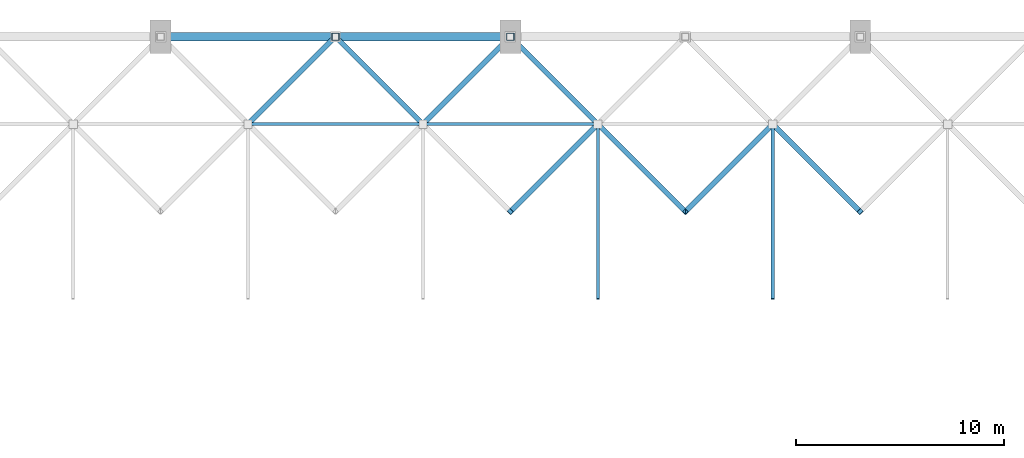
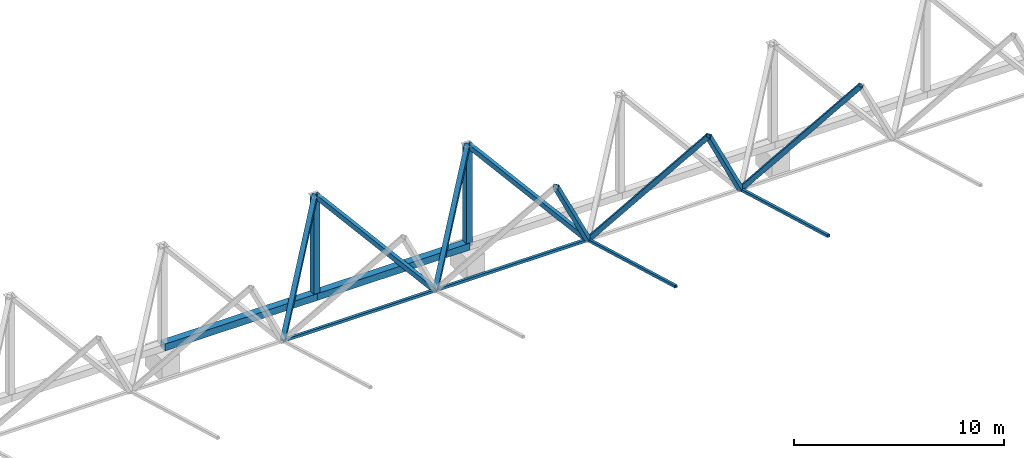
# One storey, part 57 of 163: 16 members.
"""IFC4 building model written with IfcOpenShell, lengths in metres."""

from ifc_helpers import new_model, si_unit, direction, frame, origin, origin_2d, place, context, subcontext, project, spatial, hollow_rectangle, extrude, material, material_profile, profile_set, type_object, element, save


model = new_model("IFC4")

# Units and contexts
model_context = context("Model", 3, precision=1e-05, world=origin(), true_north=direction((0.0, 1.0)))
body_context = subcontext(model_context, "Body", "Model", "MODEL_VIEW")
ifc_project = project(units=[si_unit("LENGTHUNIT", "METRE"), si_unit("AREAUNIT", "SQUARE_METRE"), si_unit("VOLUMEUNIT", "CUBIC_METRE"), si_unit("PLANEANGLEUNIT", "RADIAN"), si_unit("MASSUNIT", "GRAM", prefix="KILO")], contexts=[model_context])

# Site, building, storey
site_placement = place(None, origin())
site = spatial("IfcSite", under=ifc_project, at=site_placement, CompositionType="ELEMENT")
building_placement = place(site_placement, origin())
building = spatial("IfcBuilding", under=site, at=building_placement, Name="Rain Tree Exposition and Congress Centre", CompositionType="ELEMENT")
storey_placement = place(building_placement, frame((0.0, 0.0, 10.5)))
storey = spatial("IfcBuildingStorey", under=building, at=storey_placement, Name="L02", CompositionType="ELEMENT", Elevation=10.5)

# Members
ifc_material_1 = material(Name="Steel S355J2H", Category="steel")
ifc_material_profile_1 = material_profile(ifc_material_1, hollow_rectangle(XDim=0.25, YDim=0.25, WallThickness=0.006103515625, at=origin_2d()), Name="RHS 250x250x6")
ifc_profile_set_1 = profile_set([ifc_material_profile_1], Name="Steel S355J2H")
member_type_1 = type_object("IfcMemberType", Name="Steel brace member RHS 250x250x6", PredefinedType="BRACE", material=ifc_profile_set_1)
member_1_placement = place(storey_placement, frame((29.39990234375, 197.39990234375, 2.87353515625), z_axis=(0.564699033018, 0.564699033018, 0.60185546788), x_axis=(-0.707106781187, 0.707106781187, 0.0)))
element("IfcMember", 1, at=member_1_placement, inside=storey, type_object=member_type_1, Name="Diagonal 1289", PredefinedType="BRACE", context=body_context, shape_type="SweptSolid", body=[
    extrude(hollow_rectangle(XDim=0.25, YDim=0.25, WallThickness=0.006103515625, at=origin_2d()), origin(), (0.0, 0.0, 1.0), 7.43798828125),
])
for number, where, z_axis, x_axis, name in (
    (2, (37.800048828125, 197.39990234375, 2.87353515625), (-0.564676675678, 0.564709499992, 0.601866623567), (-0.707127332136, -0.70708622964, 0.0), "Diagonal 1293"),
    (3, (37.800048828125, 197.39990234375, 2.87353515625), (0.564676675678, 0.564709499992, 0.601866623567), (-0.707127332136, 0.70708622964, 0.0), "Diagonal 1294"),
):
    element("IfcMember", number, at=place(storey_placement, frame(where, z_axis=z_axis, x_axis=x_axis)), inside=storey, type_object=member_type_1, Name=name, PredefinedType="BRACE", context=body_context, shape_type="SweptSolid", body=[
        extrude(hollow_rectangle(XDim=0.25, YDim=0.25, WallThickness=0.006103515625, at=origin_2d()), origin(), (0.0, 0.0, 1.0), 7.437744140625),
    ])
for number, where, z_axis, x_axis, name in (
    (4, (46.199951171875, 197.39990234375, 2.87353515625), (-0.453966434812, -0.453966434812, 0.766700040517), (0.707106781187, -0.707106781187, 0.0), "Diagonal 1296"),
    (5, (46.199951171875, 197.39990234375, 2.87353515625), (0.453966434812, -0.453966434812, 0.766700040517), (0.707106781187, 0.707106781187, 0.0), "Diagonal 1297"),
):
    element("IfcMember", number, at=place(storey_placement, frame(where, z_axis=z_axis, x_axis=x_axis)), inside=storey, type_object=member_type_1, Name=name, PredefinedType="BRACE", context=body_context, shape_type="SweptSolid", body=[
        extrude(hollow_rectangle(XDim=0.25, YDim=0.25, WallThickness=0.006103515625, at=origin_2d()), origin(), (0.0, 0.0, 1.0), 9.251708984375),
    ])
member_2_placement = place(storey_placement, frame((46.199951171875, 197.39990234375, 2.87353515625), z_axis=(-0.564676675678, 0.564709499992, 0.601866623567), x_axis=(-0.707127332136, -0.70708622964, 0.0)))
element("IfcMember", 6, at=member_2_placement, inside=storey, type_object=member_type_1, Name="Diagonal 1298", PredefinedType="BRACE", context=body_context, shape_type="SweptSolid", body=[
    extrude(hollow_rectangle(XDim=0.25, YDim=0.25, WallThickness=0.006103515625, at=origin_2d()), origin(), (0.0, 0.0, 1.0), 7.437744140625),
])
for number, where, z_axis, x_axis, name in (
    (7, (54.60009765625, 197.39990234375, 2.87353515625), (-0.453987384881, -0.453960996403, 0.766690855635), (0.70708622964, -0.707127332136, 0.0), "Diagonal 1301"),
    (8, (54.60009765625, 197.39990234375, 2.87353515625), (0.453966434812, -0.453966434812, 0.766700040517), (0.707106781187, 0.707106781187, 0.0), "Diagonal 1302"),
):
    element("IfcMember", number, at=place(storey_placement, frame(where, z_axis=z_axis, x_axis=x_axis)), inside=storey, type_object=member_type_1, Name=name, PredefinedType="BRACE", context=body_context, shape_type="SweptSolid", body=[
        extrude(hollow_rectangle(XDim=0.25, YDim=0.25, WallThickness=0.006103515625, at=origin_2d()), origin(), (0.0, 0.0, 1.0), 9.251708984375),
    ])
ifc_material_2 = material(Name="Steel S355J2H", Category="steel")
ifc_material_profile_2 = material_profile(ifc_material_2, hollow_rectangle(XDim=0.14990234375, YDim=0.14990234375, WallThickness=0.00439453125, at=origin_2d()), Name="RHS 150x150x4.5")
ifc_profile_set_2 = profile_set([ifc_material_profile_2], Name="Steel S355J2H")
member_type_2 = type_object("IfcMemberType", Name="Steel chord member RHS 150x150x4.5", PredefinedType="CHORD", material=ifc_profile_set_2)
for number, where, z_axis, x_axis, name in (
    (9, (46.199951171875, 189.0, 5.232666015625), (0.0, 0.9627506985, -0.27039062953), (-1.0, 0.0, 0.0), "Bottom chord 1222"),
    (10, (54.60009765625, 189.0, 5.232666015625), (0.0, 0.9627506985, -0.27039062953), (-1.0, 0.0, 0.0), "Bottom chord 1228"),
):
    element("IfcMember", number, at=place(storey_placement, frame(where, z_axis=z_axis, x_axis=x_axis)), inside=storey, type_object=member_type_2, Name=name, PredefinedType="CHORD", context=body_context, shape_type="SweptSolid", body=[
        extrude(hollow_rectangle(XDim=0.14990234375, YDim=0.14990234375, WallThickness=0.00439453125, at=origin_2d()), origin(), (0.0, 0.0, 1.0), 8.724853515625),
    ])
member_3_placement = place(storey_placement, frame((29.39990234375, 197.39990234375, 2.87353515625), z_axis=(1.0, 0.0, 0.0), x_axis=(0.0, 1.0, 0.0)))
element("IfcMember", 11, at=member_3_placement, inside=storey, type_object=member_type_2, Name="Bottom chord 1290", PredefinedType="CHORD", context=body_context, shape_type="SweptSolid", body=[
    extrude(hollow_rectangle(XDim=0.14990234375, YDim=0.14990234375, WallThickness=0.00439453125, at=origin_2d()), origin(), (0.0, 0.0, 1.0), 8.400146484375),
])
member_4_placement = place(storey_placement, frame((37.800048828125, 197.39990234375, 2.87353515625), z_axis=(1.0, 0.0, 0.0), x_axis=(0.0, 1.0, 0.0)))
element("IfcMember", 12, at=member_4_placement, inside=storey, type_object=member_type_2, Name="Bottom chord 1295", PredefinedType="CHORD", context=body_context, shape_type="SweptSolid", body=[
    extrude(hollow_rectangle(XDim=0.14990234375, YDim=0.14990234375, WallThickness=0.00439453125, at=origin_2d()), origin(), (0.0, 0.0, 1.0), 8.39990234375),
])
ifc_material_3 = material(Name="Steel S355J2H", Category="steel")
ifc_material_profile_3 = material_profile(ifc_material_3, hollow_rectangle(XDim=0.39990234375, YDim=0.39990234375, WallThickness=0.011962890625, at=origin_2d()), Name="RHS 400x400x12")
ifc_profile_set_3 = profile_set([ifc_material_profile_3], Name="Steel S355J2H")
member_type_3 = type_object("IfcMemberType", Name="Steel chord member RHS 400x400x12", PredefinedType="CHORD", material=ifc_profile_set_3)
member_5_placement = place(storey_placement, frame((25.199951171875, 201.60009765625, 1.5), z_axis=(1.0, 0.0, 0.0), x_axis=(0.0, 1.0, 0.0)))
element("IfcMember", 13, at=member_5_placement, inside=storey, type_object=member_type_3, Name="Eaves chord 1376", PredefinedType="CHORD", context=body_context, shape_type="SweptSolid", body=[
    extrude(hollow_rectangle(XDim=0.39990234375, YDim=0.39990234375, WallThickness=0.011962890625, at=origin_2d()), origin(), (0.0, 0.0, 1.0), 8.400146484375),
])
member_6_placement = place(storey_placement, frame((33.60009765625, 201.60009765625, 1.5), z_axis=(1.0, 0.0, 0.0), x_axis=(0.0, 1.0, 0.0)))
element("IfcMember", 14, at=member_6_placement, inside=storey, type_object=member_type_3, Name="Eaves chord 1377", PredefinedType="CHORD", context=body_context, shape_type="SweptSolid", body=[
    extrude(hollow_rectangle(XDim=0.39990234375, YDim=0.39990234375, WallThickness=0.011962890625, at=origin_2d()), origin(), (0.0, 0.0, 1.0), 8.39990234375),
])
ifc_material_4 = material(Name="Steel S355J2H", Category="steel")
ifc_material_profile_4 = material_profile(ifc_material_4, hollow_rectangle(XDim=0.35009765625, YDim=0.35009765625, WallThickness=0.009033203125, at=origin_2d()), Name="RHS 350x350x9")
ifc_profile_set_4 = profile_set([ifc_material_profile_4], Name="Steel S355J2H")
member_type_4 = type_object("IfcMemberType", Name="Steel post member RHS 350x350x9", PredefinedType="POST", material=ifc_profile_set_4)
for number, where, z_axis, x_axis, name in (
    (15, (33.60009765625, 201.60009765625, 1.5), (0.0, 0.0, 1.0), (1.0, 0.0, 0.0), "Eaves post 1391"),
    (16, (42.0, 201.60009765625, 1.5), (0.0, 0.0, 1.0), (1.0, 0.0, 0.0), "Eaves post 1392"),
):
    element("IfcMember", number, at=place(storey_placement, frame(where, z_axis=z_axis, x_axis=x_axis)), inside=storey, type_object=member_type_4, Name=name, PredefinedType="POST", context=body_context, shape_type="SweptSolid", body=[
        extrude(hollow_rectangle(XDim=0.35009765625, YDim=0.35009765625, WallThickness=0.009033203125, at=origin_2d()), origin(), (0.0, 0.0, 1.0), 5.85009765625),
    ])

save(model, "model.ifc")
